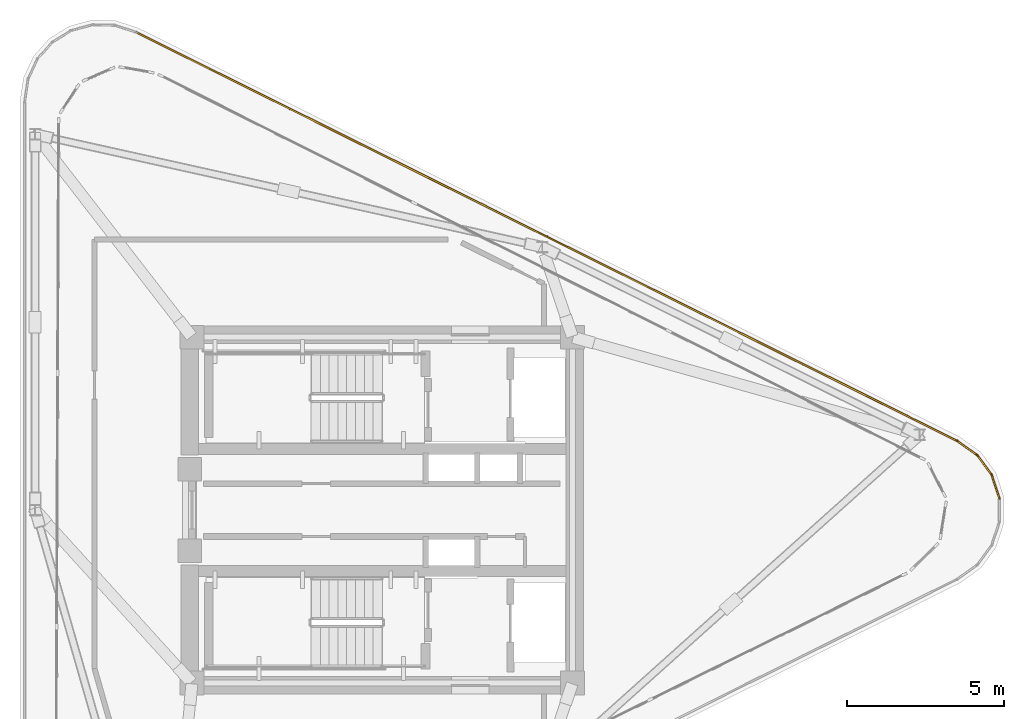
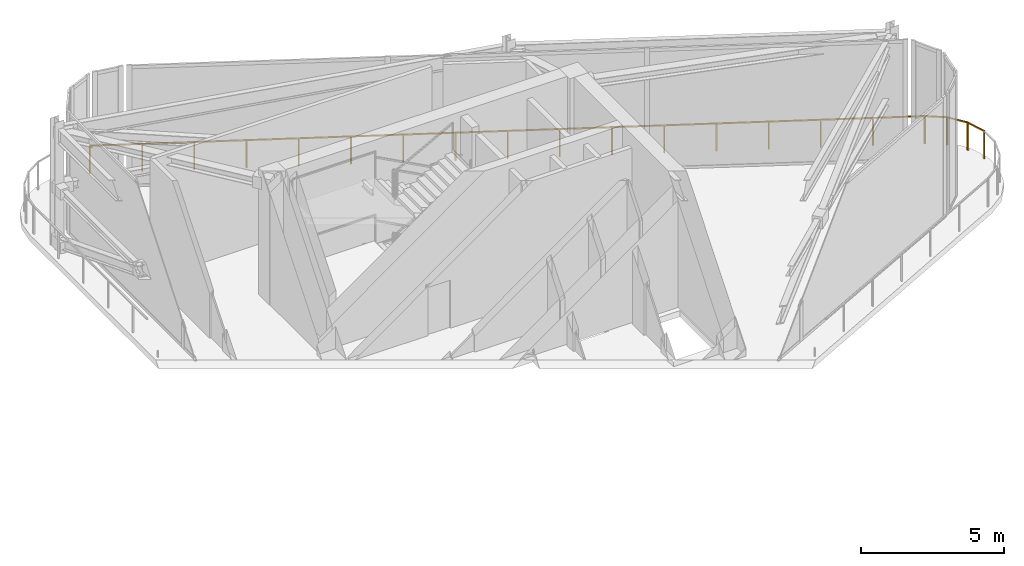
# One storey, part 9 of 9: 4 railings.
"""IFC4 building model written with IfcOpenShell, lengths in metres."""

from ifc_helpers import new_model, si_unit, direction, frame, origin, origin_2d, place, context, subcontext, project, spatial, rectangle, extrude, material, type_object, element, save


model = new_model("IFC4")

# Units and contexts
model_context = context("Model", 3, precision=1e-05, world=origin(), true_north=direction((0.0, 1.0)))
body_context = subcontext(model_context, "Body", "Model", "MODEL_VIEW")
ifc_project = project(units=[si_unit("LENGTHUNIT", "METRE"), si_unit("AREAUNIT", "SQUARE_METRE"), si_unit("VOLUMEUNIT", "CUBIC_METRE"), si_unit("PLANEANGLEUNIT", "RADIAN"), si_unit("MASSUNIT", "GRAM", prefix="KILO")], contexts=[model_context])

# Site, building, storey
site_placement = place(None, origin())
site = spatial("IfcSite", under=ifc_project, at=site_placement, CompositionType="ELEMENT")
building_placement = place(site_placement, origin())
building = spatial("IfcBuilding", under=site, at=building_placement, Name="Yunling Apex Tower", CompositionType="ELEMENT")
storey_placement = place(building_placement, frame((0.0, 0.0, 317.449951171875)))
storey = spatial("IfcBuildingStorey", under=building, at=storey_placement, Name="C01", CompositionType="ELEMENT", Elevation=317.449951171875)

# Railings
ifc_material = material(Name="Bronze anodised aluminium", Category="aluminium")
railing_type = type_object("IfcRailingType", Name="RL-BAL-1200", PredefinedType="BALUSTRADE", material=ifc_material)
railing_1_placement = place(storey_placement, frame((-7.831298828125, 15.19677734375, 0.0)))
element("IfcRailing", 1, at=railing_1_placement, inside=storey, type_object=railing_type, Name="RL-CRN-PERIM-C01-09", PredefinedType="BALUSTRADE", context=body_context, shape_type="SweptSolid", body=[
    extrude(rectangle(XDim=0.0439453125, YDim=0.0439453125, at=origin_2d()), origin(), (0.0, 0.0, 1.0), 1.199951171875),
    extrude(rectangle(XDim=0.0439453125, YDim=0.0439453125, at=origin_2d()), frame((26.129150390625, -13.0048828125, 0.0)), (0.0, 0.0, 1.0), 1.199951171875),
    extrude(rectangle(XDim=0.050048828125, YDim=0.050048828125, at=origin_2d()), frame((0.034423828125, -0.01708984375, 1.1748046875), z_axis=(0.895243772907, -0.445576690448, 0.0), x_axis=(0.445576690448, 0.895243772907, 0.0)), (0.0, 0.0, 1.0), 29.10986328125),
    extrude(rectangle(XDim=0.0439453125, YDim=0.0439453125, at=origin_2d()), frame((1.633056640625, -0.812744140625, 0.0)), (0.0, 0.0, 1.0), 1.14599609375),
    extrude(rectangle(XDim=0.0439453125, YDim=0.0439453125, at=origin_2d()), frame((3.26611328125, -1.62548828125, 0.0)), (0.0, 0.0, 1.0), 1.14599609375),
    extrude(rectangle(XDim=0.0439453125, YDim=0.0439453125, at=origin_2d()), frame((4.899169921875, -2.4384765625, 0.0)), (0.0, 0.0, 1.0), 1.14599609375),
    extrude(rectangle(XDim=0.0439453125, YDim=0.0439453125, at=origin_2d()), frame((6.5322265625, -3.251220703125, 0.0)), (0.0, 0.0, 1.0), 1.14599609375),
    extrude(rectangle(XDim=0.0439453125, YDim=0.0439453125, at=origin_2d()), frame((8.165283203125, -4.06396484375, 0.0)), (0.0, 0.0, 1.0), 1.14599609375),
    extrude(rectangle(XDim=0.0439453125, YDim=0.0439453125, at=origin_2d()), frame((9.79833984375, -4.876953125, 0.0)), (0.0, 0.0, 1.0), 1.14599609375),
    extrude(rectangle(XDim=0.0439453125, YDim=0.0439453125, at=origin_2d()), frame((11.431396484375, -5.689697265625, 0.0)), (0.0, 0.0, 1.0), 1.14599609375),
    extrude(rectangle(XDim=0.0439453125, YDim=0.0439453125, at=origin_2d()), frame((13.064453125, -6.50244140625, 0.0)), (0.0, 0.0, 1.0), 1.14599609375),
    extrude(rectangle(XDim=0.0439453125, YDim=0.0439453125, at=origin_2d()), frame((14.69775390625, -7.315185546875, 0.0)), (0.0, 0.0, 1.0), 1.14599609375),
    extrude(rectangle(XDim=0.0439453125, YDim=0.0439453125, at=origin_2d()), frame((16.330810546875, -8.1279296875, 0.0)), (0.0, 0.0, 1.0), 1.14599609375),
    extrude(rectangle(XDim=0.0439453125, YDim=0.0439453125, at=origin_2d()), frame((17.9638671875, -8.94091796875, 0.0)), (0.0, 0.0, 1.0), 1.14599609375),
    extrude(rectangle(XDim=0.0439453125, YDim=0.0439453125, at=origin_2d()), frame((19.596923828125, -9.753662109375, 0.0)), (0.0, 0.0, 1.0), 1.14599609375),
    extrude(rectangle(XDim=0.0439453125, YDim=0.0439453125, at=origin_2d()), frame((21.22998046875, -10.56640625, 0.0)), (0.0, 0.0, 1.0), 1.14599609375),
    extrude(rectangle(XDim=0.0439453125, YDim=0.0439453125, at=origin_2d()), frame((22.863037109375, -11.37939453125, 0.0)), (0.0, 0.0, 1.0), 1.14599609375),
    extrude(rectangle(XDim=0.0439453125, YDim=0.0439453125, at=origin_2d()), frame((24.49609375, -12.192138671875, 0.0)), (0.0, 0.0, 1.0), 1.14599609375),
])
railing_2_placement = place(storey_placement, frame((18.272216796875, 2.207275390625, 0.0)))
element("IfcRailing", 2, at=railing_2_placement, inside=storey, type_object=railing_type, Name="RL-CRN-PERIM-C01-10", PredefinedType="BALUSTRADE", context=body_context, shape_type="SweptSolid", body=[
    extrude(rectangle(XDim=0.0439453125, YDim=0.0439453125, at=origin_2d()), origin(), (0.0, 0.0, 1.0), 1.199951171875),
    extrude(rectangle(XDim=0.0439453125, YDim=0.0439453125, at=origin_2d()), frame((0.662841796875, -0.473388671875, 0.0)), (0.0, 0.0, 1.0), 1.199951171875),
    extrude(rectangle(XDim=0.050048828125, YDim=0.050048828125, at=origin_2d()), frame((0.03125, -0.022216796875, 1.1748046875), z_axis=(0.813773973635, -0.581181486143, 0.0), x_axis=(0.581181486143, 0.813773973635, 0.0)), (0.0, 0.0, 1.0), 0.73779296875),
])
railing_3_placement = place(storey_placement, frame((18.9140625, 1.7548828125, 0.0)))
element("IfcRailing", 3, at=railing_3_placement, inside=storey, type_object=railing_type, Name="RL-CRN-PERIM-C01-11", PredefinedType="BALUSTRADE", context=body_context, shape_type="SweptSolid", body=[
    extrude(rectangle(XDim=0.0439453125, YDim=0.0439453125, at=origin_2d()), origin(), (0.0, 0.0, 1.0), 1.199951171875),
    extrude(rectangle(XDim=0.0439453125, YDim=0.0439453125, at=origin_2d()), frame((0.47509765625, -0.646728515625, 0.0)), (0.0, 0.0, 1.0), 1.199951171875),
    extrude(rectangle(XDim=0.050048828125, YDim=0.050048828125, at=origin_2d()), frame((0.022705078125, -0.031005859375, 1.1748046875), z_axis=(0.592036110298, -0.805911436886, 0.0), x_axis=(0.805911436886, 0.592036110298, 0.0)), (0.0, 0.0, 1.0), 0.725830078125),
])
railing_4_placement = place(storey_placement, frame((19.37548828125, 1.134521484375, 0.0)))
element("IfcRailing", 4, at=railing_4_placement, inside=storey, type_object=railing_type, Name="RL-CRN-PERIM-C01-12", PredefinedType="BALUSTRADE", context=body_context, shape_type="SweptSolid", body=[
    extrude(rectangle(XDim=0.0439453125, YDim=0.0439453125, at=origin_2d()), origin(), (0.0, 0.0, 1.0), 1.199951171875),
    extrude(rectangle(XDim=0.0439453125, YDim=0.0439453125, at=origin_2d()), frame((0.250244140625, -0.762451171875, 0.0)), (0.0, 0.0, 1.0), 1.199951171875),
    extrude(rectangle(XDim=0.050048828125, YDim=0.050048828125, at=origin_2d()), frame((0.011962890625, -0.036376953125, 1.1748046875), z_axis=(0.311843374953, -0.950133521931, 0.0), x_axis=(0.950133521931, 0.311843374953, 0.0)), (0.0, 0.0, 1.0), 0.725830078125),
])

save(model, "model.ifc")
